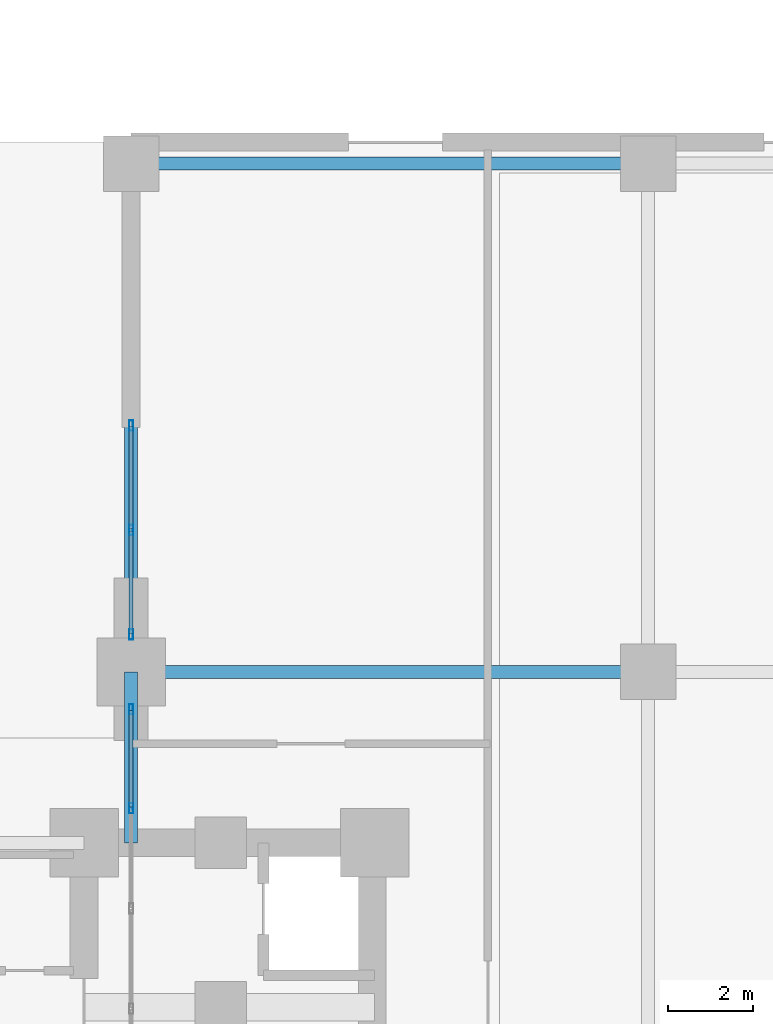
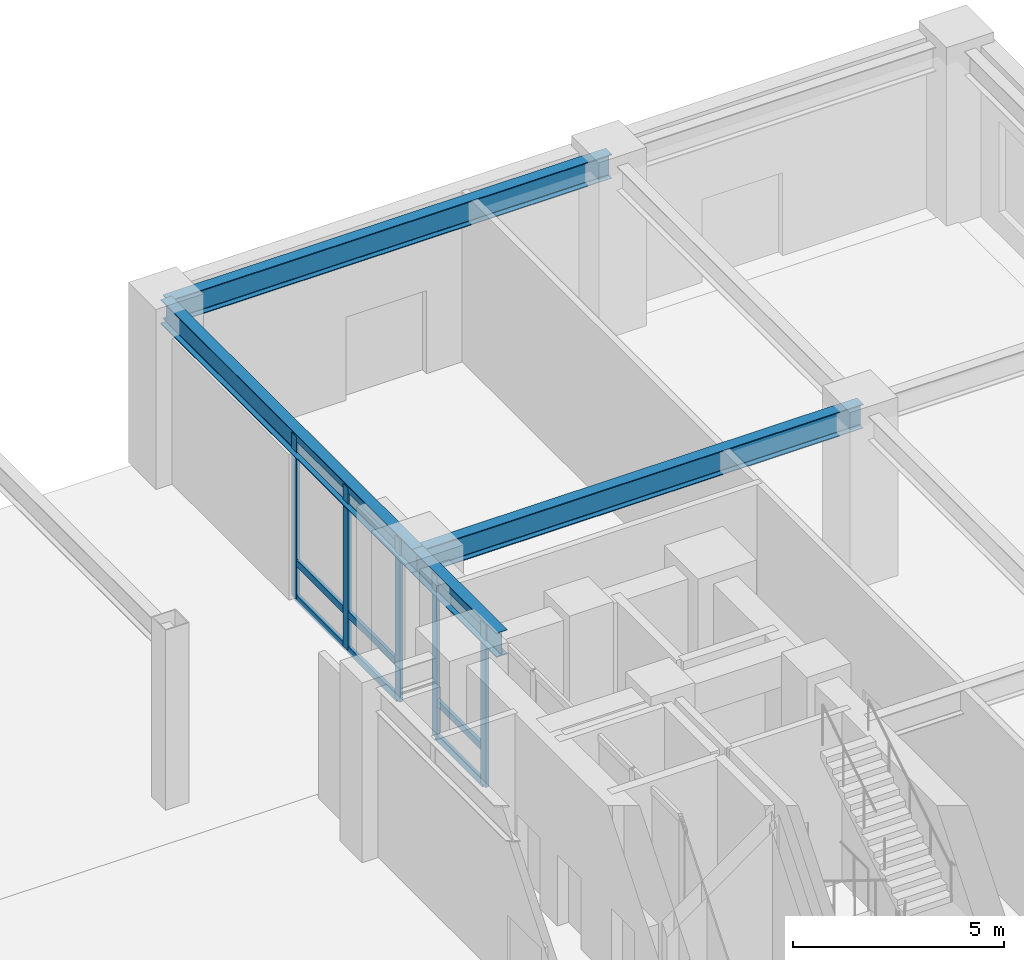
# One storey, part 14 of 23: 14 members, 4 beams, 2 elements without a shape of their own.
"""IFC4 building model written with IfcOpenShell, lengths in metres."""

from ifc_helpers import new_model, si_unit, direction, frame, origin, origin_2d, place, context, subcontext, project, spatial, hollow_rectangle, i_section, extrude, material, layer, layer_set, material_profile, profile_set, type_object, element, aggregate, save


model = new_model("IFC4")

# Units and contexts
model_context = context("Model", 3, precision=1e-05, world=origin(), true_north=direction((0.0, 1.0)))
body_context = subcontext(model_context, "Body", "Model", "MODEL_VIEW")
ifc_project = project(units=[si_unit("LENGTHUNIT", "METRE"), si_unit("AREAUNIT", "SQUARE_METRE"), si_unit("VOLUMEUNIT", "CUBIC_METRE"), si_unit("PLANEANGLEUNIT", "RADIAN"), si_unit("MASSUNIT", "GRAM", prefix="KILO")], contexts=[model_context])

# Site, building, storey
site_placement = place(None, origin())
site = spatial("IfcSite", under=ifc_project, at=site_placement, CompositionType="ELEMENT")
building_placement = place(site_placement, origin())
building = spatial("IfcBuilding", under=site, at=building_placement, Name="Voryun Gate Residences", CompositionType="ELEMENT")
storey_placement = place(building_placement, origin())
storey = spatial("IfcBuildingStorey", under=building, at=storey_placement, Name="L00", CompositionType="ELEMENT", Elevation=0.0)

# Beams
ifc_material_1 = material(Name="Steel SM355", Category="steel")
ifc_material_profile_1 = material_profile(ifc_material_1, i_section(OverallWidth=0.300048828125, OverallDepth=0.699951171875, WebThickness=0.012939453125, FlangeThickness=0.02392578125, FilletRadius=0.01806640625, at=origin_2d()), Name="H-700x300x13x24")
ifc_profile_set_1 = profile_set([ifc_material_profile_1], Name="Steel SM355")
beam_type = type_object("IfcBeamType", Name="BM_GIRD_700", PredefinedType="USERDEFINED", material=ifc_profile_set_1)
for number, where, z_axis, x_axis, name in (
    (1, (13.5, 11.39990234375, 4.570068359375), (1.0, 0.0, 0.0), (0.0, 1.0, 0.0), "BM-L00-PEX-+11.4-0"),
    (2, (13.5, 23.300048828125, 4.570068359375), (1.0, 0.0, 0.0), (0.0, 1.0, 0.0), "BM-L00-PEX-+23.3-0"),
):
    element("IfcBeam", number, at=place(storey_placement, frame(where, z_axis=z_axis, x_axis=x_axis)), inside=storey, type_object=beam_type, Name=name, ObjectType="GIRDER", PredefinedType="USERDEFINED", context=body_context, shape_type="SweptSolid", body=[
        extrude(i_section(OverallWidth=0.300048828125, OverallDepth=0.699951171875, WebThickness=0.012939453125, FlangeThickness=0.02392578125, FilletRadius=0.01806640625, at=origin_2d()), origin(), (0.0, 0.0, 1.0), 12.10009765625),
    ])
beam_1_placement = place(storey_placement, frame((13.5, 7.39990234375, 4.570068359375), z_axis=(0.0, 1.0, 0.0), x_axis=(-1.0, 0.0, 0.0)))
element("IfcBeam", 3, at=beam_1_placement, inside=storey, type_object=beam_type, Name="BM-L00-PEYA-+7.4", ObjectType="GIRDER", PredefinedType="USERDEFINED", context=body_context, shape_type="SweptSolid", body=[
    extrude(i_section(OverallWidth=0.300048828125, OverallDepth=0.699951171875, WebThickness=0.012939453125, FlangeThickness=0.02392578125, FilletRadius=0.01806640625, at=origin_2d()), origin(), (0.0, 0.0, 1.0), 4.0),
])
beam_2_placement = place(storey_placement, frame((13.5, 11.39990234375, 4.570068359375), z_axis=(0.0, 1.0, 0.0), x_axis=(-1.0, 0.0, 0.0)))
element("IfcBeam", 4, at=beam_2_placement, inside=storey, type_object=beam_type, Name="BM-L00-PEYA-+11.4", ObjectType="GIRDER", PredefinedType="USERDEFINED", context=body_context, shape_type="SweptSolid", body=[
    extrude(i_section(OverallWidth=0.300048828125, OverallDepth=0.699951171875, WebThickness=0.012939453125, FlangeThickness=0.02392578125, FilletRadius=0.01806640625, at=origin_2d()), origin(), (0.0, 0.0, 1.0), 11.900146484375),
])

# Curtain wall, members
ifc_material_2 = material(Name="Anodised aluminium", Category="aluminium")
ifc_layer = layer(ifc_material_2, 0.239990234375, Name="CW_SYS_ARCH_DARK_GLASS")
ifc_layer_set = layer_set([ifc_layer], Name="Anodised aluminium")
curtain_wall_type = type_object("IfcCurtainWallType", Name="CW_SYS_ARCH_DARK_GLASS", PredefinedType="NOTDEFINED", material=ifc_layer_set)
curtain_wall_1_placement = place(storey_placement, origin())
curtain_wall_1 = element("IfcCurtainWall", 5, at=curtain_wall_1_placement, inside=storey, type_object=curtain_wall_type, Name="Curtain wall CW2-L00-EP-M", PredefinedType="NOTDEFINED")
ifc_material_3 = material(Name="Anodised aluminium", Category="aluminium")
ifc_material_profile_2 = material_profile(ifc_material_3, hollow_rectangle(XDim=0.090087890625, YDim=0.239990234375, WallThickness=0.006103515625, at=origin_2d()), Name="ALU-MULL-240x90x6")
ifc_profile_set_2 = profile_set([ifc_material_profile_2], Name="Anodised aluminium")
member_type_1 = type_object("IfcMemberType", Name="CW_MULL_ARCH", PredefinedType="MULLION", material=ifc_profile_set_2)
member_1_placement = place(storey_placement, frame((13.5, 8.20947265625, 0.0), z_axis=(0.0, 0.0, 1.0), x_axis=(-1.0, 0.0, 0.0)))
member_1 = element("IfcMember", 6, at=member_1_placement, type_object=member_type_1, Name="CW2 mullion 9", PredefinedType="MULLION", context=body_context, shape_type="SweptSolid", body=[
    extrude(hollow_rectangle(XDim=0.090087890625, YDim=0.239990234375, WallThickness=0.006103515625, at=origin_2d()), origin(), (0.0, 0.0, 1.0), 4.699951171875),
])
member_2_placement = place(storey_placement, frame((13.5, 10.52490234375, 0.0), z_axis=(0.0, 0.0, 1.0), x_axis=(-1.0, 0.0, 0.0)))
member_2 = element("IfcMember", 7, at=member_2_placement, type_object=member_type_1, Name="CW2 mullion 10", PredefinedType="MULLION", context=body_context, shape_type="SweptSolid", body=[
    extrude(hollow_rectangle(XDim=0.090087890625, YDim=0.239990234375, WallThickness=0.006103515625, at=origin_2d()), origin(), (0.0, 0.0, 1.0), 4.699951171875),
])

curtain_wall_2_placement = place(storey_placement, origin())
curtain_wall_2 = element("IfcCurtainWall", 8, at=curtain_wall_2_placement, inside=storey, type_object=curtain_wall_type, Name="Curtain wall CW2-L00-EP-N", PredefinedType="NOTDEFINED")
member_3_placement = place(storey_placement, frame((13.5, 12.27490234375, 0.0), z_axis=(0.0, 0.0, 1.0), x_axis=(-1.0, 0.0, 0.0)))
member_3 = element("IfcMember", 9, at=member_3_placement, type_object=member_type_1, Name="CW2 mullion 1", PredefinedType="MULLION", context=body_context, shape_type="SweptSolid", body=[
    extrude(hollow_rectangle(XDim=0.090087890625, YDim=0.239990234375, WallThickness=0.006103515625, at=origin_2d()), origin(), (0.0, 0.0, 1.0), 4.699951171875),
])
member_4_placement = place(storey_placement, frame((13.5, 14.722412109375, 0.0), z_axis=(0.0, 0.0, 1.0), x_axis=(-1.0, 0.0, 0.0)))
member_4 = element("IfcMember", 10, at=member_4_placement, type_object=member_type_1, Name="CW2 mullion 2", PredefinedType="MULLION", context=body_context, shape_type="SweptSolid", body=[
    extrude(hollow_rectangle(XDim=0.090087890625, YDim=0.239990234375, WallThickness=0.006103515625, at=origin_2d()), origin(), (0.0, 0.0, 1.0), 4.699951171875),
])
member_5_placement = place(storey_placement, frame((13.5, 17.169921875, 0.0), z_axis=(0.0, 0.0, 1.0), x_axis=(-1.0, 0.0, 0.0)))
member_5 = element("IfcMember", 11, at=member_5_placement, type_object=member_type_1, Name="CW2 mullion 3", PredefinedType="MULLION", context=body_context, shape_type="SweptSolid", body=[
    extrude(hollow_rectangle(XDim=0.090087890625, YDim=0.239990234375, WallThickness=0.006103515625, at=origin_2d()), origin(), (0.0, 0.0, 1.0), 4.699951171875),
])

# Member
ifc_material_4 = material(Name="Anodised aluminium", Category="aluminium")
ifc_material_profile_3 = material_profile(ifc_material_4, hollow_rectangle(XDim=0.090087890625, YDim=0.199951171875, WallThickness=0.006103515625, at=origin_2d()), Name="ALU-TRAN-200x90x6")
ifc_profile_set_3 = profile_set([ifc_material_profile_3], Name="Anodised aluminium")
member_type_2 = type_object("IfcMemberType", Name="CW_TRAN_ARCH", PredefinedType="USERDEFINED", material=ifc_profile_set_3)
member_6_placement = place(storey_placement, frame((13.5, 8.239501953125, 0.030029296875), z_axis=(0.0, 1.0, 0.0), x_axis=(-1.0, 0.0, 0.0)))
member_6 = element("IfcMember", 12, at=member_6_placement, type_object=member_type_2, Name="CW2 transom 9.1", ObjectType="TRANSOM", PredefinedType="USERDEFINED", context=body_context, shape_type="SweptSolid", body=[
    extrude(hollow_rectangle(XDim=0.090087890625, YDim=0.199951171875, WallThickness=0.006103515625, at=origin_2d()), origin(), (0.0, 0.0, 1.0), 2.255615234375),
])

member_7_placement = place(storey_placement, frame((13.5, 8.239501953125, 1.050048828125), z_axis=(0.0, 1.0, 0.0), x_axis=(-1.0, 0.0, 0.0)))
member_7 = element("IfcMember", 13, at=member_7_placement, type_object=member_type_2, Name="CW2 transom 9.2", ObjectType="TRANSOM", PredefinedType="USERDEFINED", context=body_context, shape_type="SweptSolid", body=[
    extrude(hollow_rectangle(XDim=0.090087890625, YDim=0.199951171875, WallThickness=0.006103515625, at=origin_2d()), origin(), (0.0, 0.0, 1.0), 2.255615234375),
])

member_8_placement = place(storey_placement, frame((13.5, 8.239501953125, 4.669921875), z_axis=(0.0, 1.0, 0.0), x_axis=(-1.0, 0.0, 0.0)))
member_8 = element("IfcMember", 14, at=member_8_placement, type_object=member_type_2, Name="CW2 transom 9.3", ObjectType="TRANSOM", PredefinedType="USERDEFINED", context=body_context, shape_type="SweptSolid", body=[
    extrude(hollow_rectangle(XDim=0.090087890625, YDim=0.199951171875, WallThickness=0.006103515625, at=origin_2d()), origin(), (0.0, 0.0, 1.0), 2.255615234375),
])

aggregate(curtain_wall_1, [member_1, member_2, member_6, member_7, member_8])

member_9_placement = place(storey_placement, frame((13.5, 12.304931640625, 0.030029296875), z_axis=(0.0, 1.0, 0.0), x_axis=(-1.0, 0.0, 0.0)))
member_9 = element("IfcMember", 15, at=member_9_placement, type_object=member_type_2, Name="CW2 transom 1.1", ObjectType="TRANSOM", PredefinedType="USERDEFINED", context=body_context, shape_type="SweptSolid", body=[
    extrude(hollow_rectangle(XDim=0.090087890625, YDim=0.199951171875, WallThickness=0.006103515625, at=origin_2d()), origin(), (0.0, 0.0, 1.0), 2.387451171875),
])

member_10_placement = place(storey_placement, frame((13.5, 12.304931640625, 1.050048828125), z_axis=(0.0, 1.0, 0.0), x_axis=(-1.0, 0.0, 0.0)))
member_10 = element("IfcMember", 16, at=member_10_placement, type_object=member_type_2, Name="CW2 transom 1.2", ObjectType="TRANSOM", PredefinedType="USERDEFINED", context=body_context, shape_type="SweptSolid", body=[
    extrude(hollow_rectangle(XDim=0.090087890625, YDim=0.199951171875, WallThickness=0.006103515625, at=origin_2d()), origin(), (0.0, 0.0, 1.0), 2.387451171875),
])

member_11_placement = place(storey_placement, frame((13.5, 12.304931640625, 4.669921875), z_axis=(0.0, 1.0, 0.0), x_axis=(-1.0, 0.0, 0.0)))
member_11 = element("IfcMember", 17, at=member_11_placement, type_object=member_type_2, Name="CW2 transom 1.3", ObjectType="TRANSOM", PredefinedType="USERDEFINED", context=body_context, shape_type="SweptSolid", body=[
    extrude(hollow_rectangle(XDim=0.090087890625, YDim=0.199951171875, WallThickness=0.006103515625, at=origin_2d()), origin(), (0.0, 0.0, 1.0), 2.387451171875),
])

member_12_placement = place(storey_placement, frame((13.5, 14.75244140625, 0.030029296875), z_axis=(0.0, 1.0, 0.0), x_axis=(-1.0, 0.0, 0.0)))
member_12 = element("IfcMember", 18, at=member_12_placement, type_object=member_type_2, Name="CW2 transom 2.1", ObjectType="TRANSOM", PredefinedType="USERDEFINED", context=body_context, shape_type="SweptSolid", body=[
    extrude(hollow_rectangle(XDim=0.090087890625, YDim=0.199951171875, WallThickness=0.006103515625, at=origin_2d()), origin(), (0.0, 0.0, 1.0), 2.387451171875),
])

member_13_placement = place(storey_placement, frame((13.5, 14.75244140625, 1.050048828125), z_axis=(0.0, 1.0, 0.0), x_axis=(-1.0, 0.0, 0.0)))
member_13 = element("IfcMember", 19, at=member_13_placement, type_object=member_type_2, Name="CW2 transom 2.2", ObjectType="TRANSOM", PredefinedType="USERDEFINED", context=body_context, shape_type="SweptSolid", body=[
    extrude(hollow_rectangle(XDim=0.090087890625, YDim=0.199951171875, WallThickness=0.006103515625, at=origin_2d()), origin(), (0.0, 0.0, 1.0), 2.387451171875),
])

member_14_placement = place(storey_placement, frame((13.5, 14.75244140625, 4.669921875), z_axis=(0.0, 1.0, 0.0), x_axis=(-1.0, 0.0, 0.0)))
member_14 = element("IfcMember", 20, at=member_14_placement, type_object=member_type_2, Name="CW2 transom 2.3", ObjectType="TRANSOM", PredefinedType="USERDEFINED", context=body_context, shape_type="SweptSolid", body=[
    extrude(hollow_rectangle(XDim=0.090087890625, YDim=0.199951171875, WallThickness=0.006103515625, at=origin_2d()), origin(), (0.0, 0.0, 1.0), 2.387451171875),
])

aggregate(curtain_wall_2, [member_3, member_4, member_5, member_9, member_10, member_11, member_12, member_13, member_14])

save(model, "model.ifc")
